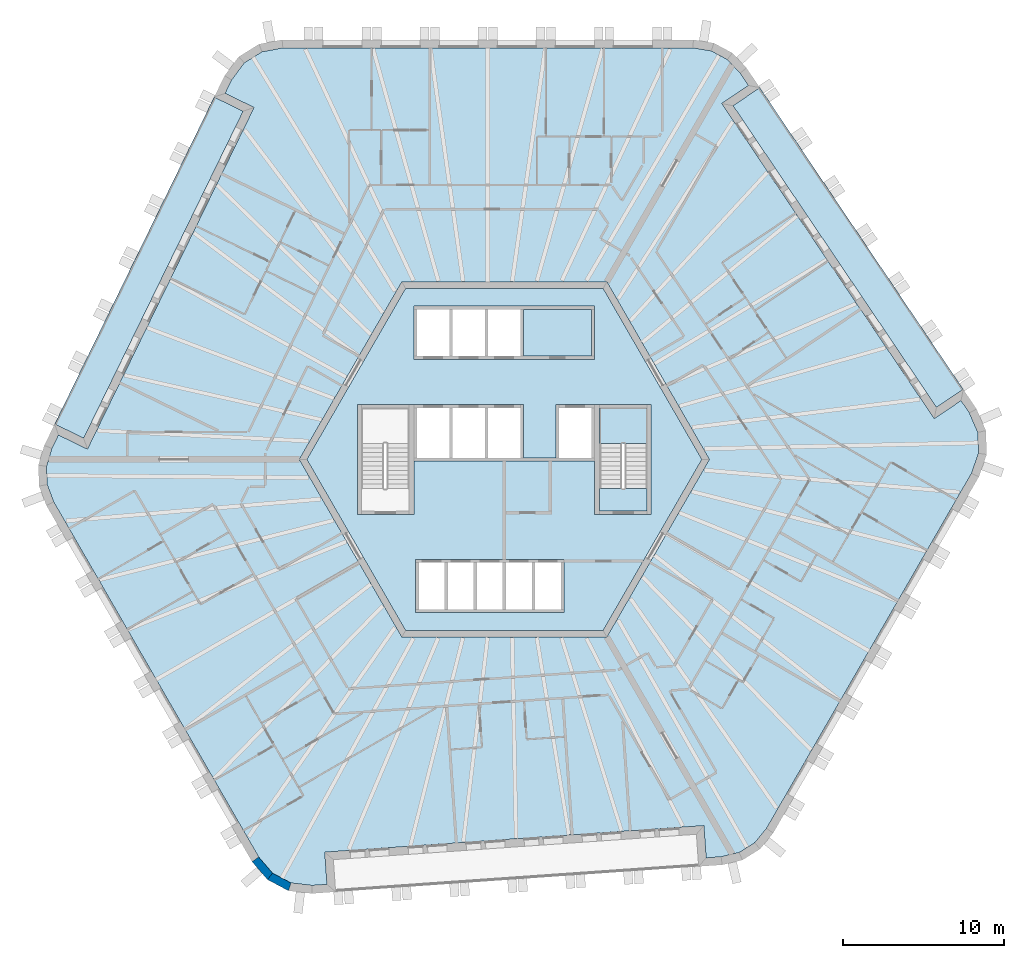
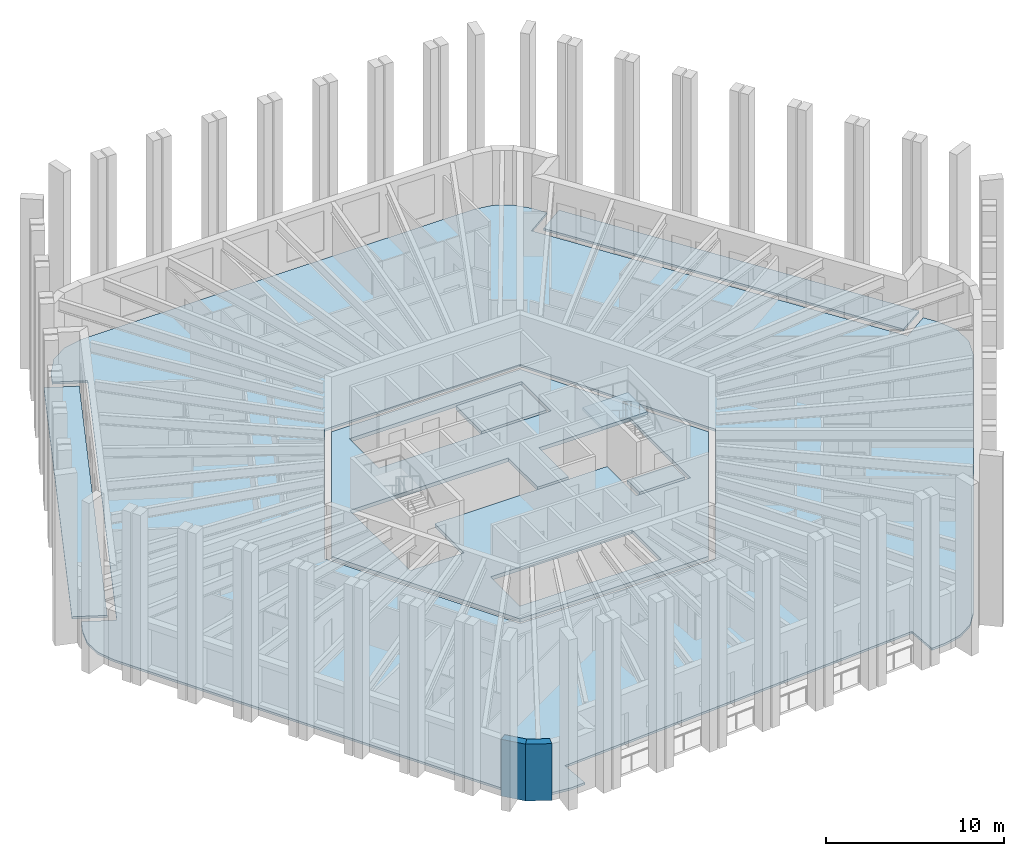
# One storey, part 2 of 13: 7 slabs, 2 walls, 1 element without a shape of its own.
"""IFC4 building model written with IfcOpenShell, lengths in metres."""

from ifc_helpers import new_model, si_unit, direction, frame, origin, place, context, subcontext, project, spatial, polyline, outline, extrude, material, layer, layer_set, type_object, element, aggregate, save


model = new_model("IFC4")

# Units and contexts
model_context = context("Model", 3, precision=1e-05, world=origin(), true_north=direction((0.0, 1.0)))
body_context = subcontext(model_context, "Body", "Model", "MODEL_VIEW")
ifc_project = project(units=[si_unit("LENGTHUNIT", "METRE"), si_unit("AREAUNIT", "SQUARE_METRE"), si_unit("VOLUMEUNIT", "CUBIC_METRE"), si_unit("PLANEANGLEUNIT", "RADIAN"), si_unit("MASSUNIT", "GRAM", prefix="KILO")], contexts=[model_context])

# Site, building, storey
site_placement = place(None, origin())
site = spatial("IfcSite", under=ifc_project, at=site_placement, CompositionType="ELEMENT")
building_placement = place(site_placement, origin())
building = spatial("IfcBuilding", under=site, at=building_placement, Name="Tarnside Tower", CompositionType="ELEMENT")
storey_placement = place(building_placement, frame((0.0, 0.0, 267.89990234375)))
storey = spatial("IfcBuildingStorey", under=building, at=storey_placement, Name="L64", CompositionType="ELEMENT", Elevation=267.89990234375)

# Slabs
ifc_material_1 = material(Name="Concrete C35/45", Category="concrete")
ifc_layer_1 = layer(ifc_material_1, 0.14990234375)
ifc_layer_set_1 = layer_set([ifc_layer_1], Name="Composite floor slab 150")
slab_type_1 = type_object("IfcSlabType", Name="Composite floor slab 150", PredefinedType="FLOOR", material=ifc_layer_set_1)
slab_1_placement = place(storey_placement, frame((0.0, 0.0, -0.14990234375)))
element("IfcSlab", 1, at=slab_1_placement, inside=storey, type_object=slab_type_1, Name="Floor slab L64", PredefinedType="FLOOR", context=body_context, shape_type="SweptSolid", body=[
    extrude(outline(polyline([(12.81689453125, 25.312744140625), (13.818115234375, 24.7802734375), (14.610595703125, 23.940185546875), (15.130615234375, 23.169677734375), (13.472412109375, 22.05126953125), (26.638427734375, 2.53173828125), (28.29638671875, 3.650146484375), (28.814697265625, 2.8818359375), (29.336669921875, 1.671875), (29.3818359375, 0.378662109375), (28.945556640625, -0.864990234375), (16.2451171875, -22.86279296875), (15.51318359375, -23.756103515625), (14.55126953125, -24.35693359375), (13.427490234375, -24.623291015625), (12.500244140625, -24.688232421875), (12.360595703125, -22.693115234375), (-11.126708984375, -24.33544921875), (-10.9873046875, -26.33056640625), (-11.91162109375, -26.395263671875), (-13.220458984375, -26.2421875), (-14.363037109375, -25.634765625), (-15.2216796875, -24.635009765625), (-27.922119140625, -2.63720703125), (-28.329833984375, -1.556640625), (-28.369384765625, -0.42333984375), (-28.0380859375, 0.68310546875), (-27.630615234375, 1.5185546875), (-25.8330078125, 0.641845703125), (-15.51171875, 21.8037109375), (-17.309326171875, 22.680419921875), (-16.903076171875, 23.51318359375), (-16.1162109375, 24.5703125), (-15.018798828125, 25.256103515625), (-13.723876953125, 25.5), (11.67724609375, 25.5), (12.81689453125, 25.312744140625)]), holes=[polyline([(-12.70166015625, 0.0), (-6.350830078125, -11.0), (6.350830078125, -11.0), (12.70166015625, 0.0), (6.350830078125, 11.0), (-6.350830078125, 11.0), (-12.70166015625, 0.0)])]), origin(), (0.0, 0.0, 1.0), 0.14990234375),
])
ifc_material_2 = material(Name="Concrete C40/50", Category="concrete")
ifc_layer_2 = layer(ifc_material_2, 0.25)
ifc_layer_set_2 = layer_set([ifc_layer_2], Name="Core slab C40/50")
slab_type_2 = type_object("IfcSlabType", Name="Core slab C40/50", PredefinedType="FLOOR", material=ifc_layer_set_2)
slab_2_placement = place(storey_placement, frame((0.0, 0.0, -0.25)))
element("IfcSlab", 2, at=slab_2_placement, inside=storey, type_object=slab_type_2, Name="L64 core floor slab 1", PredefinedType="FLOOR", context=body_context, shape_type="SweptSolid", body=[
    extrude(outline(polyline([(6.119873046875, 10.60009765625), (12.23974609375, 0.0), (6.119873046875, -10.60009765625), (-6.119873046875, -10.60009765625), (-12.23974609375, 0.0), (-6.119873046875, 10.60009765625), (6.119873046875, 10.60009765625)]), holes=[polyline([(-5.5, -9.5), (3.699951171875, -9.5), (3.699951171875, -9.300048828125), (3.699951171875, -6.39990234375), (3.699951171875, -6.199951171875), (-5.5, -6.199951171875), (-5.5, -6.39990234375), (-5.5, -9.300048828125), (-5.5, -9.5)]), polyline([(-5.60009765625, -3.39990234375), (-5.60009765625, -0.10009765625), (5.60009765625, -0.10009765625), (5.60009765625, -3.39990234375), (5.89990234375, -3.39990234375), (8.85009765625, -3.39990234375), (9.10009765625, -3.39990234375), (9.10009765625, 3.39990234375), (8.85009765625, 3.39990234375), (5.89990234375, 3.39990234375), (5.60009765625, 3.39990234375), (3.39990234375, 3.39990234375), (3.199951171875, 3.39990234375), (3.199951171875, 0.10009765625), (1.199951171875, 0.10009765625), (1.199951171875, 3.39990234375), (1.0, 3.39990234375), (-5.60009765625, 3.39990234375), (-5.89990234375, 3.39990234375), (-8.85009765625, 3.39990234375), (-9.10009765625, 3.39990234375), (-9.10009765625, -3.39990234375), (-8.85009765625, -3.39990234375), (-5.89990234375, -3.39990234375), (-5.60009765625, -3.39990234375)]), polyline([(-5.60009765625, 6.199951171875), (5.60009765625, 6.199951171875), (5.60009765625, 6.39990234375), (5.60009765625, 9.300048828125), (5.60009765625, 9.5), (-5.60009765625, 9.5), (-5.60009765625, 9.300048828125), (-5.60009765625, 6.39990234375), (-5.60009765625, 6.199951171875)])]), origin(), (0.0, 0.0, 1.0), 0.25),
])
slab_3_placement = place(storey_placement, frame((0.0, 0.0, -0.25)))
element("IfcSlab", 3, at=slab_3_placement, inside=storey, type_object=slab_type_2, Name="L64 core floor slab 3", PredefinedType="FLOOR", context=body_context, shape_type="SweptSolid", body=[
    extrude(outline(polyline([(5.89990234375, -1.800048828125), (8.85009765625, -1.800048828125), (8.85009765625, -3.199951171875), (5.89990234375, -3.199951171875), (5.89990234375, -1.800048828125)])), origin(), (0.0, 0.0, 1.0), 0.25),
])
slab_4_placement = place(storey_placement, frame((0.0, 0.0, -0.25)))
element("IfcSlab", 4, at=slab_4_placement, inside=storey, type_object=slab_type_2, Name="L64 core floor slab 4", PredefinedType="FLOOR", context=body_context, shape_type="SweptSolid", body=[
    extrude(outline(polyline([(5.39990234375, 6.39990234375), (1.199951171875, 6.39990234375), (1.199951171875, 9.300048828125), (5.39990234375, 9.300048828125), (5.39990234375, 6.39990234375)])), origin(), (0.0, 0.0, 1.0), 0.25),
])
ifc_material_3 = material(Name="Timber decking", Category="wood")
ifc_layer_3 = layer(ifc_material_3, 0.0400390625)
ifc_material_4 = material(Name="Concrete C60/75 precast", Category="concrete")
ifc_layer_4 = layer(ifc_material_4, 0.110107421875)
ifc_layer_set_3 = layer_set([ifc_layer_3, ifc_layer_4], Name="Loggia deck 150")
slab_type_3 = type_object("IfcSlabType", Name="Loggia deck 150", PredefinedType="FLOOR", material=ifc_layer_set_3)
slab_5_placement = place(storey_placement, frame((0.0, 0.0, -0.14990234375)))
element("IfcSlab", 5, at=slab_5_placement, inside=storey, type_object=slab_type_3, Name="Loggia deck L64 F2", PredefinedType="FLOOR", context=body_context, shape_type="SweptSolid", body=[
    extrude(outline(polyline([(-16.180419921875, 21.573486328125), (-26.063232421875, 1.310302734375), (-27.86083984375, 2.187255859375), (-17.97802734375, 22.4501953125), (-16.180419921875, 21.573486328125)])), origin(), (0.0, 0.0, 1.0), 0.14990234375),
])
slab_6_placement = place(storey_placement, frame((0.0, 0.0, -0.14990234375)))
element("IfcSlab", 6, at=slab_6_placement, inside=storey, type_object=slab_type_3, Name="Loggia deck L64 F6", PredefinedType="FLOOR", context=body_context, shape_type="SweptSolid", body=[
    extrude(outline(polyline([(26.7734375, 3.225830078125), (14.16650390625, 21.916259765625), (15.82470703125, 23.03466796875), (28.431396484375, 4.34423828125), (26.7734375, 3.225830078125)])), origin(), (0.0, 0.0, 1.0), 0.14990234375),
])

# Stair, slab
stair_type = type_object("IfcStairType", Name="Exit stair 1400 clear", PredefinedType="HALF_TURN_STAIR", material=ifc_material_2)
stair_placement = place(storey_placement, origin())
stair = element("IfcStair", 7, at=stair_placement, inside=storey, type_object=stair_type, Name="L64 Exit stair 1", PredefinedType="HALF_TURN_STAIR")
ifc_layer_5 = layer(ifc_material_2, 0.199951171875)
ifc_layer_set_4 = layer_set([ifc_layer_5], Name="Stair landing 200 C40/50")
slab_type_4 = type_object("IfcSlabType", Name="Stair landing 200 C40/50", PredefinedType="LANDING", material=ifc_layer_set_4)
slab_7_placement = place(storey_placement, frame((0.0, 0.0, 1.75)))
slab_7 = element("IfcSlab", 8, at=slab_7_placement, type_object=slab_type_4, Name="ST1 landing 1", PredefinedType="LANDING", context=body_context, shape_type="SweptSolid", body=[
    extrude(outline(polyline([(8.85009765625, 1.0), (8.85009765625, 3.199951171875), (5.89990234375, 3.199951171875), (5.89990234375, 1.0), (8.85009765625, 1.0)])), origin(), (0.0, 0.0, 1.0), 0.2001953125),
])
aggregate(stair, [slab_7])

# Walls
ifc_material_5 = material(Name="Facing brick", Category="masonry")
ifc_layer_6 = layer(ifc_material_5, 0.10205078125)
ifc_layer_7 = layer(ifc_material_4, 0.298095703125)
ifc_material_6 = material(Name="Mineral wool insulation")
ifc_layer_8 = layer(ifc_material_6, 0.10009765625)
ifc_layer_set_5 = layer_set([ifc_layer_6, ifc_layer_7, ifc_layer_8], Name="Tube wall 500 brick faced")
wall_type = type_object("IfcWallType", Name="Tube wall 500 brick faced", PredefinedType="SOLIDWALL", material=ifc_layer_set_5)
wall_1_placement = place(storey_placement, frame((-15.426513671875, -24.7802734375, -0.14990234375), z_axis=(0.0, 0.0, 1.0), x_axis=(0.651616566281, -0.758548515619, 0.0)))
element("IfcWall", 9, at=wall_1_placement, inside=storey, type_object=wall_type, Name="Tube wall L64 F3 chord 13", PredefinedType="SOLIDWALL", context=body_context, shape_type="SweptSolid", body=[
    extrude(outline(polyline([(-0.0234375, -0.25), (1.435302734375, -0.25), (1.341064453125, 0.25), (0.0234375, 0.25), (-0.0234375, -0.25)])), origin(), (0.0, 0.0, 1.0), 3.89990234375),
])
wall_2_placement = place(storey_placement, frame((-14.52197265625, -25.833251953125, -0.14990234375), z_axis=(0.0, 0.0, 1.0), x_axis=(0.882926676147, -0.469510899286, 0.0)))
element("IfcWall", 10, at=wall_2_placement, inside=storey, type_object=wall_type, Name="Tube wall L64 F3 chord 14", PredefinedType="SOLIDWALL", context=body_context, shape_type="SweptSolid", body=[
    extrude(outline(polyline([(-0.047119140625, -0.25), (1.435546875, -0.25), (1.34130859375, 0.25), (0.047119140625, 0.25), (-0.047119140625, -0.25)])), origin(), (0.0, 0.0, 1.0), 3.89990234375),
])

save(model, "model.ifc")
